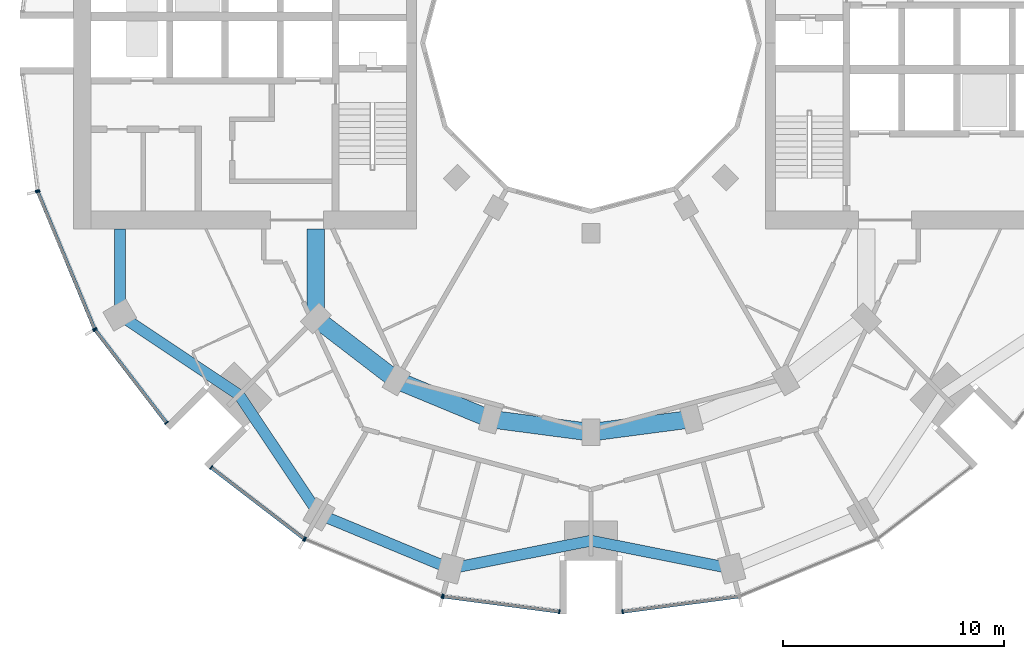
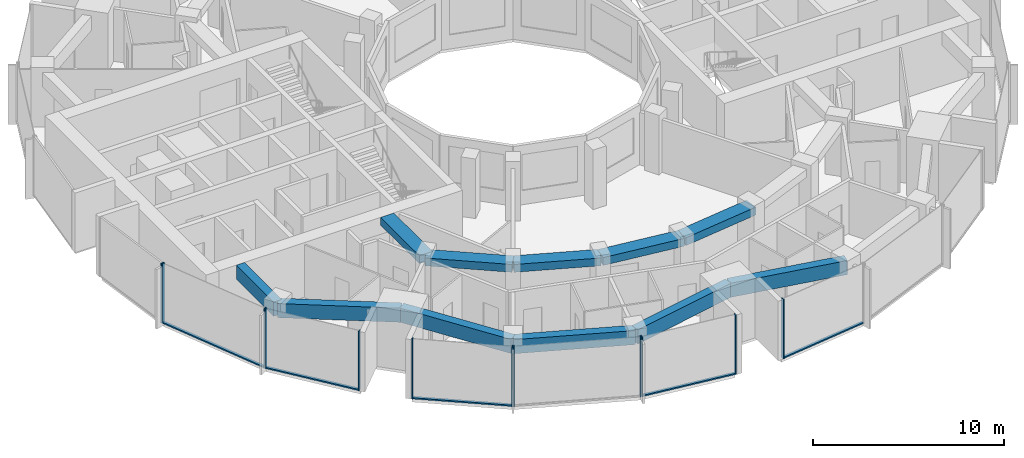
# One storey, part 2 of 15: 17 members, 11 beams, 7 elements without a shape of their own.
"""IFC4 building model written with IfcOpenShell, lengths in metres."""

from ifc_helpers import new_model, si_unit, direction, frame, origin, origin_2d, place, context, subcontext, project, spatial, rectangle, extrude, material, layer, layer_set, material_profile, profile_set, type_object, element, aggregate, save


model = new_model("IFC4")

# Units and contexts
model_context = context("Model", 3, precision=1e-05, world=origin(), true_north=direction((0.0, 1.0)))
body_context = subcontext(model_context, "Body", "Model", "MODEL_VIEW")
ifc_project = project(units=[si_unit("LENGTHUNIT", "METRE"), si_unit("AREAUNIT", "SQUARE_METRE"), si_unit("VOLUMEUNIT", "CUBIC_METRE"), si_unit("PLANEANGLEUNIT", "RADIAN"), si_unit("MASSUNIT", "GRAM", prefix="KILO")], contexts=[model_context])

# Site, building, storey
site_placement = place(None, origin())
site = spatial("IfcSite", under=ifc_project, at=site_placement, CompositionType="ELEMENT")
building_placement = place(site_placement, origin())
building = spatial("IfcBuilding", under=site, at=building_placement, Name="Torre Brocal", CompositionType="ELEMENT")
storey_placement = place(building_placement, frame((0.0, 0.0, 86.199951171875)))
storey = spatial("IfcBuildingStorey", under=building, at=storey_placement, Name="L19", CompositionType="ELEMENT", Elevation=86.199951171875)

# Curtain wall, members
ifc_material_1 = material(Name="Aluminium and glass", Category="aluminium")
ifc_layer_1 = layer(ifc_material_1, 0.199951171875)
ifc_layer_set_1 = layer_set([ifc_layer_1], Name="Aluminium and glass")
curtain_wall_type_1 = type_object("IfcCurtainWallType", Name="CW-1 CURTAIN WALL 3800 HIGH", PredefinedType="NOTDEFINED", material=ifc_layer_set_1)
curtain_wall_1_placement = place(storey_placement, origin())
curtain_wall_1 = element("IfcCurtainWall", 1, at=curtain_wall_1_placement, inside=storey, type_object=curtain_wall_type_1, Name="CW-1 RUN 14", PredefinedType="NOTDEFINED")
ifc_material_2 = material(Name="Aluminium, dark anodised", Category="aluminium")
ifc_material_profile_1 = material_profile(ifc_material_2, rectangle(XDim=0.199951171875, YDim=0.06005859375, at=origin_2d()), Name="CW-1 MULLION 60X200")
ifc_profile_set_1 = profile_set([ifc_material_profile_1], Name="Aluminium, dark anodised")
member_type_1 = type_object("IfcMemberType", Name="CW-1 MULLION 60X200", PredefinedType="MULLION", material=ifc_profile_set_1)
member_1_placement = place(storey_placement, frame((54.994873046875, 68.26904296875, 0.0), z_axis=(0.0, 0.0, 1.0), x_axis=(0.923879532525, 0.382683432333, 0.0)))
member_1 = element("IfcMember", 2, at=member_1_placement, type_object=member_type_1, Name="CW1-1 mullion 1", PredefinedType="MULLION", context=body_context, shape_type="SweptSolid", body=[
    extrude(rectangle(XDim=0.199951171875, YDim=0.06005859375, at=origin_2d()), origin(), (0.0, 0.0, 1.0), 3.800048828125),
])
member_2_placement = place(storey_placement, frame((57.559326171875, 62.078125, 0.0), z_axis=(0.0, 0.0, 1.0), x_axis=(0.923879532525, 0.382683432333, 0.0)))
member_2 = element("IfcMember", 3, at=member_2_placement, type_object=member_type_1, Name="CW1-1 mullion 2", PredefinedType="MULLION", context=body_context, shape_type="SweptSolid", body=[
    extrude(rectangle(XDim=0.199951171875, YDim=0.06005859375, at=origin_2d()), origin(), (0.0, 0.0, 1.0), 3.800048828125),
])

curtain_wall_2_placement = place(storey_placement, origin())
curtain_wall_2 = element("IfcCurtainWall", 4, at=curtain_wall_2_placement, inside=storey, type_object=curtain_wall_type_1, Name="CW-1 RUN 15", PredefinedType="NOTDEFINED")
member_3_placement = place(storey_placement, frame((57.5888671875, 62.026611328125, 0.0), z_axis=(0.0, 0.0, 1.0), x_axis=(0.793353340259, 0.60876142905, 0.0)))
member_3 = element("IfcMember", 5, at=member_3_placement, type_object=member_type_1, Name="CW1-1 mullion 1", PredefinedType="MULLION", context=body_context, shape_type="SweptSolid", body=[
    extrude(rectangle(XDim=0.199951171875, YDim=0.06005859375, at=origin_2d()), origin(), (0.0, 0.0, 1.0), 3.800048828125),
])
member_4_placement = place(storey_placement, frame((60.80859375, 57.83056640625, 0.0), z_axis=(0.0, 0.0, 1.0), x_axis=(0.793353340259, 0.60876142905, 0.0)))
member_4 = element("IfcMember", 6, at=member_4_placement, type_object=member_type_1, Name="CW1-1 mullion 2", PredefinedType="MULLION", context=body_context, shape_type="SweptSolid", body=[
    extrude(rectangle(XDim=0.199951171875, YDim=0.06005859375, at=origin_2d()), origin(), (0.0, 0.0, 1.0), 3.800048828125),
])

curtain_wall_3_placement = place(storey_placement, origin())
curtain_wall_3 = element("IfcCurtainWall", 7, at=curtain_wall_3_placement, inside=storey, type_object=curtain_wall_type_1, Name="CW-1 RUN 16", PredefinedType="NOTDEFINED")
member_5_placement = place(storey_placement, frame((62.83056640625, 55.80859375, 0.0), z_axis=(0.0, 0.0, 1.0), x_axis=(0.60876142905, 0.793353340259, 0.0)))
member_5 = element("IfcMember", 8, at=member_5_placement, type_object=member_type_1, Name="CW1-1 mullion 1", PredefinedType="MULLION", context=body_context, shape_type="SweptSolid", body=[
    extrude(rectangle(XDim=0.199951171875, YDim=0.06005859375, at=origin_2d()), origin(), (0.0, 0.0, 1.0), 3.800048828125),
])
member_6_placement = place(storey_placement, frame((67.026611328125, 52.5888671875, 0.0), z_axis=(0.0, 0.0, 1.0), x_axis=(0.60876142905, 0.793353340259, 0.0)))
member_6 = element("IfcMember", 9, at=member_6_placement, type_object=member_type_1, Name="CW1-1 mullion 2", PredefinedType="MULLION", context=body_context, shape_type="SweptSolid", body=[
    extrude(rectangle(XDim=0.199951171875, YDim=0.06005859375, at=origin_2d()), origin(), (0.0, 0.0, 1.0), 3.800048828125),
])

curtain_wall_4_placement = place(storey_placement, origin())
curtain_wall_4 = element("IfcCurtainWall", 10, at=curtain_wall_4_placement, inside=storey, type_object=curtain_wall_type_1, Name="CW-1 RUN 17", PredefinedType="NOTDEFINED")
member_7_placement = place(storey_placement, frame((67.078125, 52.559326171875, 0.0), z_axis=(0.0, 0.0, 1.0), x_axis=(0.382683432333, 0.923879532525, 0.0)))
member_7 = element("IfcMember", 11, at=member_7_placement, type_object=member_type_1, Name="CW1-1 mullion 1", PredefinedType="MULLION", context=body_context, shape_type="SweptSolid", body=[
    extrude(rectangle(XDim=0.199951171875, YDim=0.06005859375, at=origin_2d()), origin(), (0.0, 0.0, 1.0), 3.800048828125),
])
member_8_placement = place(storey_placement, frame((73.26904296875, 49.994873046875, 0.0), z_axis=(0.0, 0.0, 1.0), x_axis=(0.382683432333, 0.923879532525, 0.0)))
member_8 = element("IfcMember", 12, at=member_8_placement, type_object=member_type_1, Name="CW1-1 mullion 2", PredefinedType="MULLION", context=body_context, shape_type="SweptSolid", body=[
    extrude(rectangle(XDim=0.199951171875, YDim=0.06005859375, at=origin_2d()), origin(), (0.0, 0.0, 1.0), 3.800048828125),
])
aggregate(curtain_wall_4, [member_7, member_8])

curtain_wall_5_placement = place(storey_placement, origin())
curtain_wall_5 = element("IfcCurtainWall", 13, at=curtain_wall_5_placement, inside=storey, type_object=curtain_wall_type_1, Name="CW-1 RUN 18", PredefinedType="NOTDEFINED")
member_9_placement = place(storey_placement, frame((73.32666015625, 49.9794921875, 0.0), z_axis=(0.0, 0.0, 1.0), x_axis=(0.13052619222, 0.991444861374, 0.0)))
member_9 = element("IfcMember", 14, at=member_9_placement, type_object=member_type_1, Name="CW1-1 mullion 1", PredefinedType="MULLION", context=body_context, shape_type="SweptSolid", body=[
    extrude(rectangle(XDim=0.199951171875, YDim=0.06005859375, at=origin_2d()), origin(), (0.0, 0.0, 1.0), 3.800048828125),
])
member_10_placement = place(storey_placement, frame((78.5703125, 49.2890625, 0.0), z_axis=(0.0, 0.0, 1.0), x_axis=(0.13052619222, 0.991444861374, 0.0)))
member_10 = element("IfcMember", 15, at=member_10_placement, type_object=member_type_1, Name="CW1-1 mullion 2", PredefinedType="MULLION", context=body_context, shape_type="SweptSolid", body=[
    extrude(rectangle(XDim=0.199951171875, YDim=0.06005859375, at=origin_2d()), origin(), (0.0, 0.0, 1.0), 3.800048828125),
])

# Curtain wall, member
curtain_wall_6_placement = place(storey_placement, origin())
curtain_wall_6 = element("IfcCurtainWall", 16, at=curtain_wall_6_placement, inside=storey, type_object=curtain_wall_type_1, Name="CW-1 RUN 19", PredefinedType="NOTDEFINED")
member_11_placement = place(storey_placement, frame((81.4296875, 49.2890625, 0.0), z_axis=(0.0, 0.0, 1.0), x_axis=(-0.13052619222, 0.991444861374, 0.0)))
member_11 = element("IfcMember", 17, at=member_11_placement, type_object=member_type_1, Name="CW1-1 mullion 1", PredefinedType="MULLION", context=body_context, shape_type="SweptSolid", body=[
    extrude(rectangle(XDim=0.199951171875, YDim=0.06005859375, at=origin_2d()), origin(), (0.0, 0.0, 1.0), 3.800048828125),
])

# Member
ifc_material_3 = material(Name="Aluminium, dark anodised", Category="aluminium")
ifc_material_profile_2 = material_profile(ifc_material_3, rectangle(XDim=0.159912109375, YDim=0.080078125, at=origin_2d()), Name="CW-1 TRANSOM 160X80")
ifc_profile_set_2 = profile_set([ifc_material_profile_2], Name="Aluminium, dark anodised")
member_type_2 = type_object("IfcMemberType", Name="CW-1 TRANSOM 160X80", PredefinedType="USERDEFINED", material=ifc_profile_set_2)
member_12_placement = place(storey_placement, frame((55.00634765625, 68.241455078125, 0.0400390625), z_axis=(0.38266457234, -0.923887344364, 0.0), x_axis=(0.923887344364, 0.38266457234, 0.0)))
member_12 = element("IfcMember", 18, at=member_12_placement, type_object=member_type_2, Name="CW1-1 transom 1.1", ObjectType="TRANSOM", PredefinedType="USERDEFINED", context=body_context, shape_type="SweptSolid", body=[
    extrude(rectangle(XDim=0.159912109375, YDim=0.080078125, at=origin_2d()), origin(), (0.0, 0.0, 1.0), 6.640869140625),
])

aggregate(curtain_wall_1, [member_1, member_2, member_12])

member_13_placement = place(storey_placement, frame((57.607177734375, 62.0029296875, 0.0400390625), z_axis=(0.60874908096, -0.79336281513, 0.0), x_axis=(0.79336281513, 0.60874908096, 0.0)))
member_13 = element("IfcMember", 19, at=member_13_placement, type_object=member_type_2, Name="CW1-1 transom 1.1", ObjectType="TRANSOM", PredefinedType="USERDEFINED", context=body_context, shape_type="SweptSolid", body=[
    extrude(rectangle(XDim=0.159912109375, YDim=0.080078125, at=origin_2d()), origin(), (0.0, 0.0, 1.0), 5.22900390625),
])

aggregate(curtain_wall_2, [member_3, member_4, member_13])

member_14_placement = place(storey_placement, frame((62.8544921875, 55.790283203125, 0.0400390625), z_axis=(0.79336281513, -0.60874908096, 0.0), x_axis=(0.60874908096, 0.79336281513, 0.0)))
member_14 = element("IfcMember", 20, at=member_14_placement, type_object=member_type_2, Name="CW1-1 transom 1.1", ObjectType="TRANSOM", PredefinedType="USERDEFINED", context=body_context, shape_type="SweptSolid", body=[
    extrude(rectangle(XDim=0.159912109375, YDim=0.080078125, at=origin_2d()), origin(), (0.0, 0.0, 1.0), 5.22900390625),
])

aggregate(curtain_wall_3, [member_5, member_6, member_14])

member_15_placement = place(storey_placement, frame((73.356201171875, 49.9755859375, 0.0400390625), z_axis=(0.991442690863, -0.130542677827, 0.0), x_axis=(0.130542677827, 0.991442690863, 0.0)))
member_15 = element("IfcMember", 21, at=member_15_placement, type_object=member_type_2, Name="CW1-1 transom 1.1", ObjectType="TRANSOM", PredefinedType="USERDEFINED", context=body_context, shape_type="SweptSolid", body=[
    extrude(rectangle(XDim=0.159912109375, YDim=0.080078125, at=origin_2d()), origin(), (0.0, 0.0, 1.0), 5.22900390625),
])

aggregate(curtain_wall_5, [member_9, member_10, member_15])

member_16_placement = place(storey_placement, frame((81.45947265625, 49.29296875, 0.0400390625), z_axis=(0.991442690863, 0.130542677827, 0.0), x_axis=(-0.130542677827, 0.991442690863, 0.0)))
member_16 = element("IfcMember", 22, at=member_16_placement, type_object=member_type_2, Name="CW1-1 transom 1.1", ObjectType="TRANSOM", PredefinedType="USERDEFINED", context=body_context, shape_type="SweptSolid", body=[
    extrude(rectangle(XDim=0.159912109375, YDim=0.080078125, at=origin_2d()), origin(), (0.0, 0.0, 1.0), 5.22900390625),
])

aggregate(curtain_wall_6, [member_11, member_16])

# Curtain wall, member
ifc_material_4 = material(Name="Aluminium and glass", Category="aluminium")
ifc_layer_2 = layer(ifc_material_4, 0.199951171875)
ifc_layer_set_2 = layer_set([ifc_layer_2], Name="Aluminium and glass")
curtain_wall_type_2 = type_object("IfcCurtainWallType", Name="CW-1B CURTAIN WALL 3800 HIGH", PredefinedType="NOTDEFINED", material=ifc_layer_set_2)
curtain_wall_7_placement = place(storey_placement, origin())
curtain_wall_7 = element("IfcCurtainWall", 23, at=curtain_wall_7_placement, inside=storey, type_object=curtain_wall_type_2, Name="CW-1B RUN 13", PredefinedType="NOTDEFINED")
ifc_material_5 = material(Name="Aluminium, dark anodised", Category="aluminium")
ifc_material_profile_3 = material_profile(ifc_material_5, rectangle(XDim=0.199951171875, YDim=0.06005859375, at=origin_2d()), Name="CW-1B MULLION 60X200")
ifc_profile_set_3 = profile_set([ifc_material_profile_3], Name="Aluminium, dark anodised")
member_type_3 = type_object("IfcMemberType", Name="CW-1B MULLION 60X200", PredefinedType="MULLION", material=ifc_profile_set_3)
member_17_placement = place(storey_placement, frame((54.9794921875, 68.32666015625, 0.0), z_axis=(0.0, 0.0, 1.0), x_axis=(0.991444861374, 0.13052619222, 0.0)))
member_17 = element("IfcMember", 24, at=member_17_placement, type_object=member_type_3, Name="CW1B-1 mullion 2", PredefinedType="MULLION", context=body_context, shape_type="SweptSolid", body=[
    extrude(rectangle(XDim=0.199951171875, YDim=0.06005859375, at=origin_2d()), origin(), (0.0, 0.0, 1.0), 3.800048828125),
])
aggregate(curtain_wall_7, [member_17])

# Beams
ifc_material_6 = material(Name="Concrete C50", Category="concrete")
ifc_material_profile_4 = material_profile(ifc_material_6, rectangle(XDim=0.800048828125, YDim=0.5, at=origin_2d()), Name="RC 800X500")
ifc_profile_set_4 = profile_set([ifc_material_profile_4], Name="Concrete C50")
beam_type_1 = type_object("IfcBeamType", Name="RC BEAM 800X500 C50 TOP 3480", PredefinedType="BEAM", material=ifc_profile_set_4)
beam_1_placement = place(storey_placement, frame((67.554931640625, 62.554931640625, 3.22998046875), z_axis=(0.0, 1.0, 0.0), x_axis=(-1.0, 0.0, 0.0)))
element("IfcBeam", 25, at=beam_1_placement, inside=storey, type_object=beam_type_1, Name="Beam BT-19", PredefinedType="BEAM", context=body_context, shape_type="SweptSolid", body=[
    extrude(rectangle(XDim=0.800048828125, YDim=0.5, at=origin_2d()), origin(), (0.0, 0.0, 1.0), 4.045166015625),
])
beam_2_placement = place(storey_placement, frame((67.554931640625, 62.554931640625, 3.22998046875), z_axis=(0.793358265959, -0.6087550097, 0.0), x_axis=(0.6087550097, 0.793358265959, 0.0)))
element("IfcBeam", 26, at=beam_2_placement, inside=storey, type_object=beam_type_1, Name="Beam BT-19", PredefinedType="BEAM", context=body_context, shape_type="SweptSolid", body=[
    extrude(rectangle(XDim=0.800048828125, YDim=0.5, at=origin_2d()), origin(), (0.0, 0.0, 1.0), 4.594482421875),
])
beam_3_placement = place(storey_placement, frame((71.199951171875, 59.758056640625, 3.22998046875), z_axis=(0.923878240166, -0.382686552348, 0.0), x_axis=(0.382686552348, 0.923878240166, 0.0)))
element("IfcBeam", 27, at=beam_3_placement, inside=storey, type_object=beam_type_1, Name="Beam BT-19", PredefinedType="BEAM", context=body_context, shape_type="SweptSolid", body=[
    extrude(rectangle(XDim=0.800048828125, YDim=0.5, at=origin_2d()), origin(), (0.0, 0.0, 1.0), 4.5947265625),
])
for number, where, z_axis, x_axis, name in (
    (28, (75.44482421875, 57.999755859375, 3.22998046875), (0.991440544449, -0.130558978332, 0.0), (0.130558978332, 0.991440544449, 0.0), "Beam BT-19"),
    (29, (80.0, 57.39990234375, 3.22998046875), (0.991440544449, 0.130558978332, 0.0), (-0.130558978332, 0.991440544449, 0.0), "Beam BT-19"),
):
    element("IfcBeam", number, at=place(storey_placement, frame(where, z_axis=z_axis, x_axis=x_axis)), inside=storey, type_object=beam_type_1, Name=name, PredefinedType="BEAM", context=body_context, shape_type="SweptSolid", body=[
        extrude(rectangle(XDim=0.800048828125, YDim=0.5, at=origin_2d()), origin(), (0.0, 0.0, 1.0), 4.594482421875),
    ])
ifc_material_7 = material(Name="Concrete C50", Category="concrete")
ifc_material_profile_5 = material_profile(ifc_material_7, rectangle(XDim=0.5, YDim=0.89990234375, at=origin_2d()), Name="RC 500X900")
ifc_profile_set_5 = profile_set([ifc_material_profile_5], Name="Concrete C50")
beam_type_2 = type_object("IfcBeamType", Name="RC SPANDREL BEAM 500X900 C50 TOP 3480", PredefinedType="SPANDREL", material=ifc_profile_set_5)
beam_4_placement = place(storey_placement, frame((58.69580078125, 62.699951171875, 3.030029296875), z_axis=(0.0, 1.0, 0.0), x_axis=(-1.0, 0.0, 0.0)))
element("IfcBeam", 30, at=beam_4_placement, inside=storey, type_object=beam_type_2, Name="Beam BT-20", PredefinedType="SPANDREL", context=body_context, shape_type="SweptSolid", body=[
    extrude(rectangle(XDim=0.5, YDim=0.89990234375, at=origin_2d()), origin(), (0.0, 0.0, 1.0), 3.900146484375),
])
for number, where, z_axis, x_axis, name in (
    (31, (58.69580078125, 62.699951171875, 3.030029296875), (0.831076844476, -0.556157602282, 0.0), (0.556157602282, 0.831076844476, 0.0), "Beam BT-20"),
    (32, (64.090087890625, 59.090087890625, 3.030029296875), (0.556157602282, -0.831076844476, 0.0), (0.831076844476, 0.556157602282, 0.0), "Beam BT-20"),
):
    element("IfcBeam", number, at=place(storey_placement, frame(where, z_axis=z_axis, x_axis=x_axis)), inside=storey, type_object=beam_type_2, Name=name, PredefinedType="SPANDREL", context=body_context, shape_type="SweptSolid", body=[
        extrude(rectangle(XDim=0.5, YDim=0.89990234375, at=origin_2d()), origin(), (0.0, 0.0, 1.0), 6.49072265625),
    ])
beam_5_placement = place(storey_placement, frame((67.699951171875, 53.69580078125, 3.030029296875), z_axis=(0.923882462513, -0.382676358639, 0.0), x_axis=(0.382676358639, 0.923882462513, 0.0)))
element("IfcBeam", 33, at=beam_5_placement, inside=storey, type_object=beam_type_2, Name="Beam BT-20", PredefinedType="SPANDREL", context=body_context, shape_type="SweptSolid", body=[
    extrude(rectangle(XDim=0.5, YDim=0.89990234375, at=origin_2d()), origin(), (0.0, 0.0, 1.0), 6.421875),
])
for number, where, z_axis, x_axis, name in (
    (34, (73.633056640625, 51.23828125, 3.030029296875), (0.980924907484, 0.194387051723, 0.0), (-0.194387051723, 0.980924907484, 0.0), "Beam BT-20"),
    (35, (80.0, 52.5, 3.030029296875), (0.980924907484, -0.194387051723, 0.0), (0.194387051723, 0.980924907484, 0.0), "Beam BT-20"),
):
    element("IfcBeam", number, at=place(storey_placement, frame(where, z_axis=z_axis, x_axis=x_axis)), inside=storey, type_object=beam_type_2, Name=name, PredefinedType="SPANDREL", context=body_context, shape_type="SweptSolid", body=[
        extrude(rectangle(XDim=0.5, YDim=0.89990234375, at=origin_2d()), origin(), (0.0, 0.0, 1.0), 6.49072265625),
    ])

save(model, "model.ifc")
